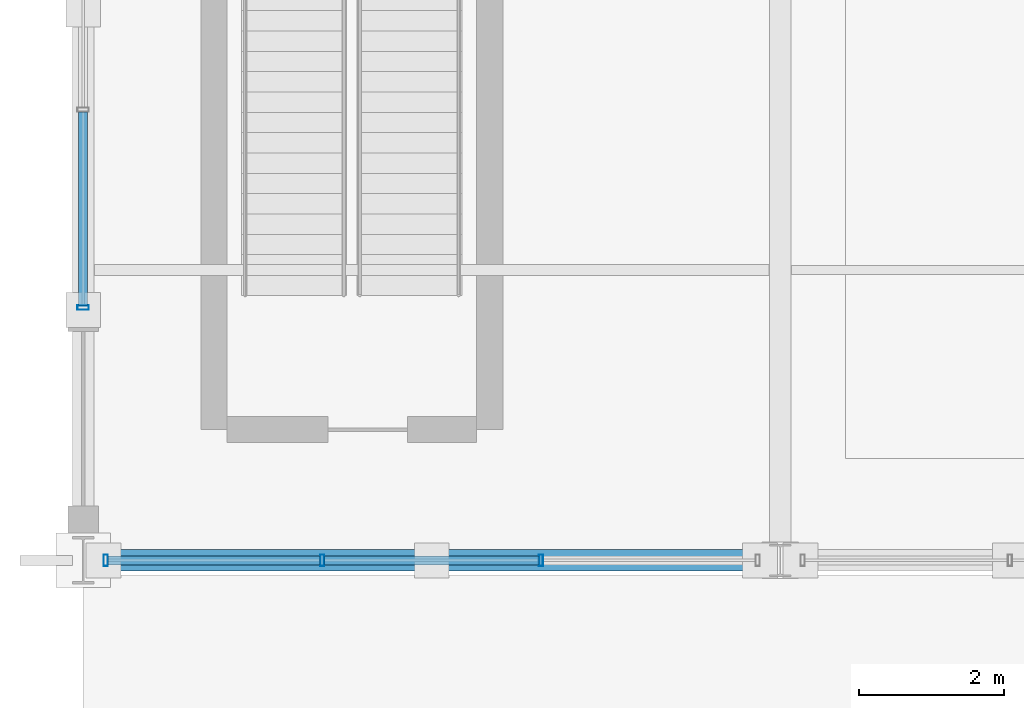
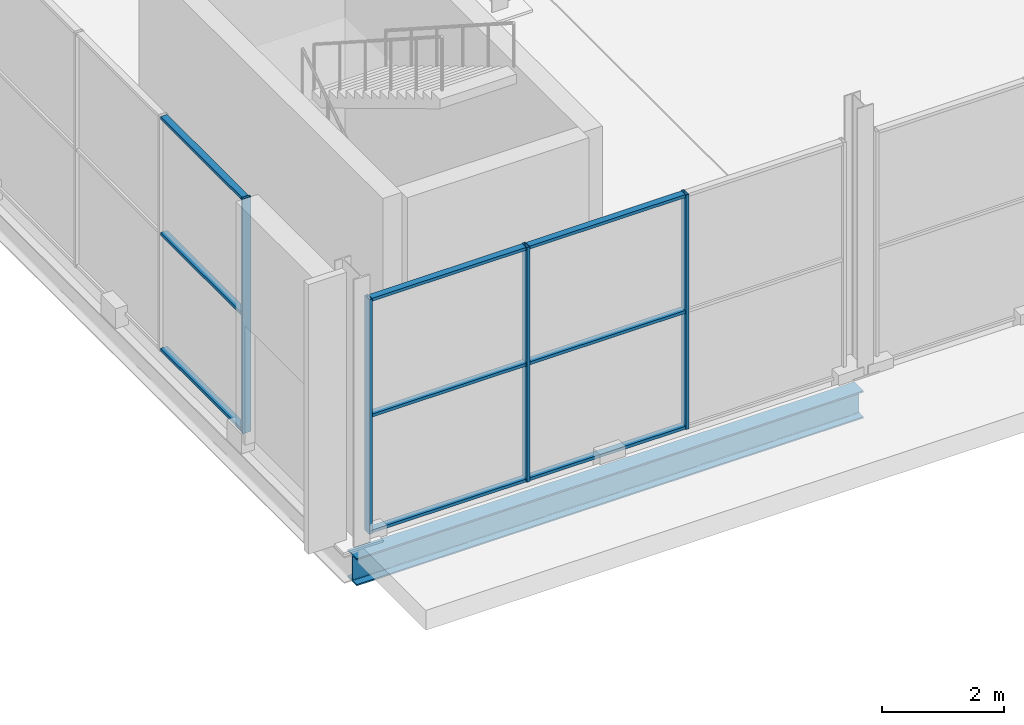
# One storey, part 26 of 196: 13 members, 1 beam, 2 elements without a shape of their own.
"""IFC4 building model written with IfcOpenShell, lengths in metres."""

from ifc_helpers import new_model, si_unit, direction, frame, origin, origin_2d, place, context, subcontext, project, spatial, hollow_rectangle, i_section, extrude, material, material_profile, profile_set, type_object, element, aggregate, save


model = new_model("IFC4")

# Units and contexts
model_context = context("Model", 3, precision=1e-05, world=origin(), true_north=direction((0.0, 1.0)))
body_context = subcontext(model_context, "Body", "Model", "MODEL_VIEW")
ifc_project = project(units=[si_unit("LENGTHUNIT", "METRE"), si_unit("AREAUNIT", "SQUARE_METRE"), si_unit("VOLUMEUNIT", "CUBIC_METRE"), si_unit("PLANEANGLEUNIT", "RADIAN"), si_unit("MASSUNIT", "GRAM", prefix="KILO")], contexts=[model_context])

# Site, building, storey
site_placement = place(None, origin())
site = spatial("IfcSite", under=ifc_project, at=site_placement, CompositionType="ELEMENT")
building_placement = place(site_placement, origin())
building = spatial("IfcBuilding", under=site, at=building_placement, Name="Merenkruunu Market Hall", CompositionType="ELEMENT")
storey_placement = place(building_placement, origin())
storey = spatial("IfcBuildingStorey", under=building, at=storey_placement, Name="L00", CompositionType="ELEMENT", Elevation=0.0)

# Curtain wall, member
ifc_material_1 = material(Name="Powder-coated aluminium", Category="aluminium")
curtain_wall_type = type_object("IfcCurtainWallType", Name="Glazed Curtain Wall CW01", PredefinedType="USERDEFINED", material=ifc_material_1)
curtain_wall_1_placement = place(storey_placement, origin())
curtain_wall_1 = element("IfcCurtainWall", 1, at=curtain_wall_1_placement, inside=storey, type_object=curtain_wall_type, Name="CW-L00-CWM01-001", ObjectType="GLAZED_FACADE", PredefinedType="USERDEFINED")
ifc_material_profile_1 = material_profile(ifc_material_1, hollow_rectangle(XDim=0.06005859375, YDim=0.159912109375, WallThickness=0.00390625, at=origin_2d()), Name="ALU 60x160x4")
ifc_profile_set_1 = profile_set([ifc_material_profile_1], Name="Powder-coated aluminium")
member_type_1 = type_object("IfcMemberType", Name="Curtain Wall Mullion CWM01", PredefinedType="MULLION", material=ifc_profile_set_1)
member_1_placement = place(storey_placement, frame((0.0, 19.080078125, 0.0), z_axis=(0.0, 0.0, 1.0), x_axis=(0.0, 1.0, 0.0)))
member_1 = element("IfcMember", 2, at=member_1_placement, type_object=member_type_1, Name="CW01 mullion 1", PredefinedType="MULLION", context=body_context, shape_type="SweptSolid", body=[
    extrude(hollow_rectangle(XDim=0.06005859375, YDim=0.159912109375, WallThickness=0.00390625, at=origin_2d()), origin(), (0.0, 0.0, 1.0), 4.699951171875),
])

# Curtain wall, members
curtain_wall_2_placement = place(storey_placement, origin())
curtain_wall_2 = element("IfcCurtainWall", 3, at=curtain_wall_2_placement, inside=storey, type_object=curtain_wall_type, Name="CW-L00-CWM01-019", ObjectType="GLAZED_FACADE", PredefinedType="USERDEFINED")
member_2_placement = place(storey_placement, frame((6.306640625, 15.60009765625, 0.0), z_axis=(0.0, 0.0, 1.0), x_axis=(-1.0, 0.0, 0.0)))
member_2 = element("IfcMember", 4, at=member_2_placement, type_object=member_type_1, Name="CW01 mullion 2", PredefinedType="MULLION", context=body_context, shape_type="SweptSolid", body=[
    extrude(hollow_rectangle(XDim=0.06005859375, YDim=0.159912109375, WallThickness=0.00390625, at=origin_2d()), origin(), (0.0, 0.0, 1.0), 4.699951171875),
])
member_3_placement = place(storey_placement, frame((3.293212890625, 15.60009765625, 0.0), z_axis=(0.0, 0.0, 1.0), x_axis=(-1.0, 0.0, 0.0)))
member_3 = element("IfcMember", 5, at=member_3_placement, type_object=member_type_1, Name="CW01 mullion 3", PredefinedType="MULLION", context=body_context, shape_type="SweptSolid", body=[
    extrude(hollow_rectangle(XDim=0.06005859375, YDim=0.159912109375, WallThickness=0.00390625, at=origin_2d()), origin(), (0.0, 0.0, 1.0), 4.699951171875),
])
member_4_placement = place(storey_placement, frame((0.31005859375, 15.60009765625, 0.0), z_axis=(0.0, 0.0, 1.0), x_axis=(-1.0, 0.0, 0.0)))
member_4 = element("IfcMember", 6, at=member_4_placement, type_object=member_type_1, Name="CW01 mullion 4", PredefinedType="MULLION", context=body_context, shape_type="SweptSolid", body=[
    extrude(hollow_rectangle(XDim=0.06005859375, YDim=0.159912109375, WallThickness=0.00390625, at=origin_2d()), origin(), (0.0, 0.0, 1.0), 4.699951171875),
])

# Member
ifc_material_profile_2 = material_profile(ifc_material_1, hollow_rectangle(XDim=0.06005859375, YDim=0.125, WallThickness=0.00390625, at=origin_2d()), Name="ALU 60x125x4")
ifc_profile_set_2 = profile_set([ifc_material_profile_2], Name="Powder-coated aluminium")
member_type_2 = type_object("IfcMemberType", Name="Curtain Wall Transom CWT01", PredefinedType="USERDEFINED", material=ifc_profile_set_2)
member_5_placement = place(storey_placement, frame((0.0, 19.110107421875, 0.030029296875), z_axis=(0.0, 1.0, 0.0), x_axis=(0.0, 0.0, 1.0)))
member_5 = element("IfcMember", 7, at=member_5_placement, type_object=member_type_2, Name="CW01 transom 1.1", ObjectType="TRANSOM", PredefinedType="USERDEFINED", context=body_context, shape_type="SweptSolid", body=[
    extrude(hollow_rectangle(XDim=0.06005859375, YDim=0.125, WallThickness=0.00390625, at=origin_2d()), origin(), (0.0, 0.0, 1.0), 2.66650390625),
])

member_6_placement = place(storey_placement, frame((0.0, 19.110107421875, 2.35009765625), z_axis=(0.0, 1.0, 0.0), x_axis=(0.0, 0.0, 1.0)))
member_6 = element("IfcMember", 8, at=member_6_placement, type_object=member_type_2, Name="CW01 transom 1.2", ObjectType="TRANSOM", PredefinedType="USERDEFINED", context=body_context, shape_type="SweptSolid", body=[
    extrude(hollow_rectangle(XDim=0.06005859375, YDim=0.125, WallThickness=0.00390625, at=origin_2d()), origin(), (0.0, 0.0, 1.0), 2.66650390625),
])

member_7_placement = place(storey_placement, frame((0.0, 19.110107421875, 4.669921875), z_axis=(0.0, 1.0, 0.0), x_axis=(0.0, 0.0, 1.0)))
member_7 = element("IfcMember", 9, at=member_7_placement, type_object=member_type_2, Name="CW01 transom 1.3", ObjectType="TRANSOM", PredefinedType="USERDEFINED", context=body_context, shape_type="SweptSolid", body=[
    extrude(hollow_rectangle(XDim=0.06005859375, YDim=0.125, WallThickness=0.00390625, at=origin_2d()), origin(), (0.0, 0.0, 1.0), 2.66650390625),
])

aggregate(curtain_wall_1, [member_1, member_5, member_6, member_7])

member_8_placement = place(storey_placement, frame((6.276611328125, 15.60009765625, 0.030029296875), z_axis=(-1.0, 0.0, 0.0), x_axis=(0.0, 0.0, 1.0)))
member_8 = element("IfcMember", 10, at=member_8_placement, type_object=member_type_2, Name="CW01 transom 2.1", ObjectType="TRANSOM", PredefinedType="USERDEFINED", context=body_context, shape_type="SweptSolid", body=[
    extrude(hollow_rectangle(XDim=0.06005859375, YDim=0.125, WallThickness=0.00390625, at=origin_2d()), origin(), (0.0, 0.0, 1.0), 2.953369140625),
])

member_9_placement = place(storey_placement, frame((6.276611328125, 15.60009765625, 2.35009765625), z_axis=(-1.0, 0.0, 0.0), x_axis=(0.0, 0.0, 1.0)))
member_9 = element("IfcMember", 11, at=member_9_placement, type_object=member_type_2, Name="CW01 transom 2.2", ObjectType="TRANSOM", PredefinedType="USERDEFINED", context=body_context, shape_type="SweptSolid", body=[
    extrude(hollow_rectangle(XDim=0.06005859375, YDim=0.125, WallThickness=0.00390625, at=origin_2d()), origin(), (0.0, 0.0, 1.0), 2.953369140625),
])

member_10_placement = place(storey_placement, frame((6.276611328125, 15.60009765625, 4.669921875), z_axis=(-1.0, 0.0, 0.0), x_axis=(0.0, 0.0, 1.0)))
member_10 = element("IfcMember", 12, at=member_10_placement, type_object=member_type_2, Name="CW01 transom 2.3", ObjectType="TRANSOM", PredefinedType="USERDEFINED", context=body_context, shape_type="SweptSolid", body=[
    extrude(hollow_rectangle(XDim=0.06005859375, YDim=0.125, WallThickness=0.00390625, at=origin_2d()), origin(), (0.0, 0.0, 1.0), 2.953369140625),
])

member_11_placement = place(storey_placement, frame((3.263427734375, 15.60009765625, 0.030029296875), z_axis=(-1.0, 0.0, 0.0), x_axis=(0.0, 0.0, 1.0)))
member_11 = element("IfcMember", 13, at=member_11_placement, type_object=member_type_2, Name="CW01 transom 3.1", ObjectType="TRANSOM", PredefinedType="USERDEFINED", context=body_context, shape_type="SweptSolid", body=[
    extrude(hollow_rectangle(XDim=0.06005859375, YDim=0.125, WallThickness=0.00390625, at=origin_2d()), origin(), (0.0, 0.0, 1.0), 2.92333984375),
])

member_12_placement = place(storey_placement, frame((3.263427734375, 15.60009765625, 2.35009765625), z_axis=(-1.0, 0.0, 0.0), x_axis=(0.0, 0.0, 1.0)))
member_12 = element("IfcMember", 14, at=member_12_placement, type_object=member_type_2, Name="CW01 transom 3.2", ObjectType="TRANSOM", PredefinedType="USERDEFINED", context=body_context, shape_type="SweptSolid", body=[
    extrude(hollow_rectangle(XDim=0.06005859375, YDim=0.125, WallThickness=0.00390625, at=origin_2d()), origin(), (0.0, 0.0, 1.0), 2.92333984375),
])

member_13_placement = place(storey_placement, frame((3.263427734375, 15.60009765625, 4.669921875), z_axis=(-1.0, 0.0, 0.0), x_axis=(0.0, 0.0, 1.0)))
member_13 = element("IfcMember", 15, at=member_13_placement, type_object=member_type_2, Name="CW01 transom 3.3", ObjectType="TRANSOM", PredefinedType="USERDEFINED", context=body_context, shape_type="SweptSolid", body=[
    extrude(hollow_rectangle(XDim=0.06005859375, YDim=0.125, WallThickness=0.00390625, at=origin_2d()), origin(), (0.0, 0.0, 1.0), 2.92333984375),
])

aggregate(curtain_wall_2, [member_2, member_3, member_4, member_8, member_9, member_10, member_11, member_12, member_13])

# Beam
ifc_material_2 = material(Name="Steel S355J2", Category="steel")
ifc_material_profile_3 = material_profile(ifc_material_2, i_section(OverallWidth=0.300048828125, OverallDepth=0.550048828125, WebThickness=0.014892578125, FlangeThickness=0.029052734375, FilletRadius=0.027099609375, at=origin_2d()), Name="HEB 550")
ifc_profile_set_3 = profile_set([ifc_material_profile_3], Name="Steel S355J2")
beam_type = type_object("IfcBeamType", Name="Primary Floor Girder B02", PredefinedType="BEAM", material=ifc_profile_set_3)
beam_placement = place(storey_placement, frame((0.0, 15.60009765625, -0.614990234375), z_axis=(1.0, 0.0, 0.0), x_axis=(0.0, 1.0, 0.0)))
element("IfcBeam", 16, at=beam_placement, inside=storey, type_object=beam_type, Name="BM-L00-B02-0009", PredefinedType="BEAM", context=body_context, shape_type="SweptSolid", body=[
    extrude(i_section(OverallWidth=0.300048828125, OverallDepth=0.550048828125, WebThickness=0.014892578125, FlangeThickness=0.029052734375, FilletRadius=0.027099609375, at=origin_2d()), origin(), (0.0, 0.0, 1.0), 9.60009765625),
])

save(model, "model.ifc")
